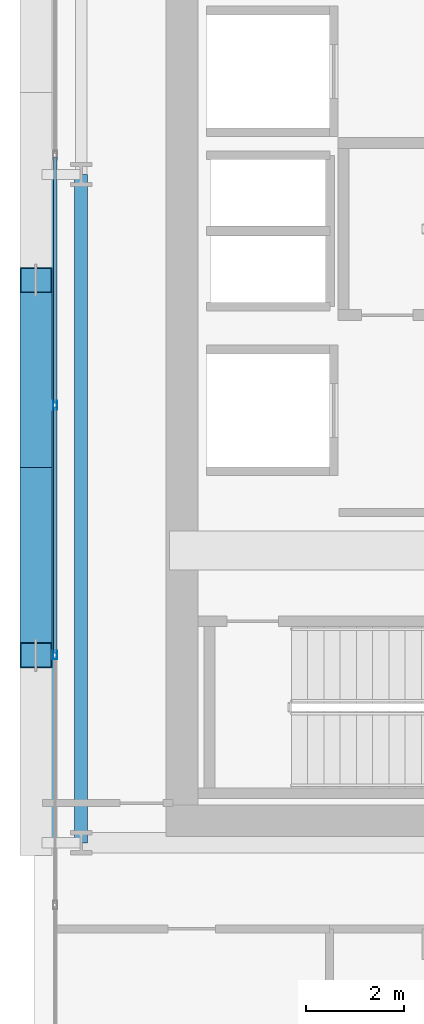
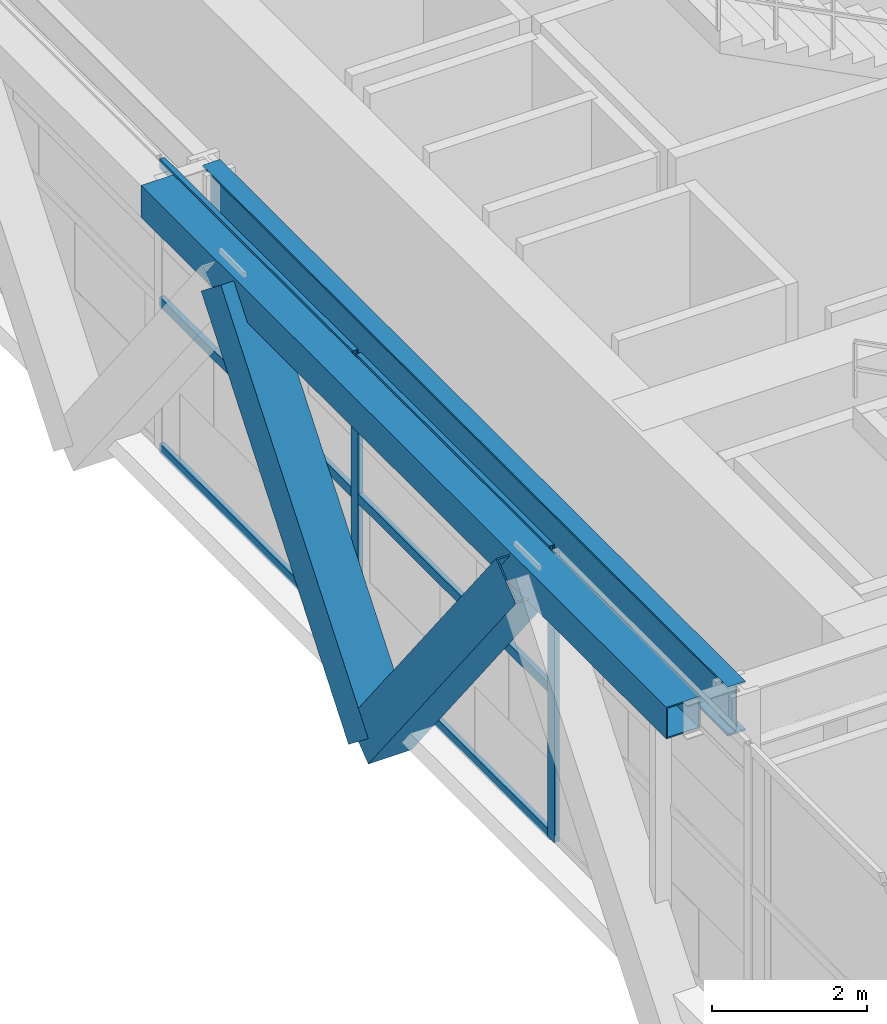
# One storey, part 6 of 35: 10 members, 2 beams, 1 element without a shape of its own.
"""IFC4 building model written with IfcOpenShell, lengths in metres."""

from ifc_helpers import new_model, si_unit, direction, frame, origin, origin_2d, place, context, subcontext, project, spatial, hollow_rectangle, i_section, extrude, source, transform, mapped, material, layer, layer_set, material_profile, profile_set, type_object, element, aggregate, save


model = new_model("IFC4")

# Units and contexts
model_context = context("Model", 3, precision=1e-05, world=origin(), true_north=direction((0.0, 1.0)))
body_context = subcontext(model_context, "Body", "Model", "MODEL_VIEW")
ifc_project = project(units=[si_unit("LENGTHUNIT", "METRE"), si_unit("AREAUNIT", "SQUARE_METRE"), si_unit("VOLUMEUNIT", "CUBIC_METRE"), si_unit("PLANEANGLEUNIT", "RADIAN"), si_unit("MASSUNIT", "GRAM", prefix="KILO")], contexts=[model_context])

# Site, building, storey
site_placement = place(None, origin())
site = spatial("IfcSite", under=ifc_project, at=site_placement, CompositionType="ELEMENT")
building_placement = place(site_placement, origin())
building = spatial("IfcBuilding", under=site, at=building_placement, Name="Ocotamira Hotel", CompositionType="ELEMENT")
storey_placement = place(building_placement, frame((0.0, 0.0, 158.39990234375)))
storey = spatial("IfcBuildingStorey", under=building, at=storey_placement, Name="L39", CompositionType="ELEMENT", Elevation=158.39990234375)

# Beams
ifc_material_1 = material(Name="Steel ASTM A992 Grade 50", Category="steel")
ifc_material_profile_1 = material_profile(ifc_material_1, i_section(OverallWidth=0.26611328125, OverallDepth=0.779052734375, WebThickness=0.0166015625, FlangeThickness=0.030029296875, FilletRadius=0.01806640625, at=origin_2d()), Name="W30X148")
ifc_profile_set_1 = profile_set([ifc_material_profile_1], Name="Steel ASTM A992 Grade 50")
beam_type_1 = type_object("IfcBeamType", Name="BM-GIRD-W30X148", PredefinedType="BEAM", material=ifc_profile_set_1)
shared_shape_1 = source(origin(), body_context, "Body", "SweptSolid", [
    extrude(i_section(OverallWidth=0.26611328125, OverallDepth=0.779052734375, WebThickness=0.0166015625, FlangeThickness=0.030029296875, FilletRadius=0.01806640625, at=origin_2d()), origin(), (0.0, 0.0, 1.0), 13.599853515625),
])
beam_1_placement = place(storey_placement, frame((8.949951171875, 14.550048828125, 4.1806640625), z_axis=(0.0, 1.0, 0.0), x_axis=(-1.0, 0.0, 0.0)))
element("IfcBeam", 1, at=beam_1_placement, inside=storey, type_object=beam_type_1, Name="L39 Beam X8.95 Y14.55-28.15", PredefinedType="BEAM", context=body_context, shape_type="MappedRepresentation", body=[
    mapped(shared_shape_1, transform((0.0, 0.0, 0.0), scale=1.0)),
])
ifc_material_2 = material(Name="Steel ASTM A500 Grade C", Category="steel")
ifc_material_profile_2 = material_profile(ifc_material_2, hollow_rectangle(XDim=0.5, YDim=0.5, WallThickness=0.02001953125, at=origin_2d()), Name="HSS500X500X20")
ifc_profile_set_2 = profile_set([ifc_material_profile_2], Name="Steel ASTM A500 Grade C")
beam_type_2 = type_object("IfcBeamType", Name="BM-SPAN-HSS500", PredefinedType="USERDEFINED", material=ifc_profile_set_2)
shared_shape_2 = source(origin(), body_context, "Body", "SweptSolid", [
    extrude(hollow_rectangle(XDim=0.5, YDim=0.5, WallThickness=0.02001953125, at=origin_2d()), origin(), (0.0, 0.0, 1.0), 13.599853515625),
])
beam_2_placement = place(storey_placement, frame((8.14990234375, 14.550048828125, 4.320068359375), z_axis=(0.0, 1.0, 0.0), x_axis=(-1.0, 0.0, 0.0)))
element("IfcBeam", 2, at=beam_2_placement, inside=storey, type_object=beam_type_2, Name="L39 Edge Spandrel W Y14.55-28.15", ObjectType="SPANDREL", PredefinedType="USERDEFINED", context=body_context, shape_type="MappedRepresentation", body=[
    mapped(shared_shape_2, transform((0.0, 0.0, 0.0), scale=1.0)),
])

# Members
ifc_material_3 = material(Name="Pale-metal coated steel ASTM A913 Grade 65", Category="steel")
ifc_material_profile_3 = material_profile(ifc_material_3, hollow_rectangle(XDim=0.64990234375, YDim=0.64990234375, WallThickness=0.02197265625, at=origin_2d()), Name="BOX650X650X22")
ifc_profile_set_3 = profile_set([ifc_material_profile_3], Name="Pale-metal coated steel ASTM A913 Grade 65")
member_type_1 = type_object("IfcMemberType", Name="MEM-EXO-BOX650", PredefinedType="BRACE", material=ifc_profile_set_3)
shared_shape_3 = source(origin(), body_context, "Body", "SweptSolid", [
    extrude(hollow_rectangle(XDim=0.64990234375, YDim=0.64990234375, WallThickness=0.02197265625, at=origin_2d()), origin(), (0.0, 0.0, 1.0), 6.171630859375),
])
for number, where, z_axis, x_axis, name in (
    (3, (8.030029296875, 22.183349609375, -0.52978515625), (0.0, -0.618427608591, 0.785841773471), (1.0, 0.0, 0.0), "L39 Exoskeleton Diagrid W0.2"),
    (4, (8.030029296875, 22.183349609375, -0.52978515625), (0.0, 0.618427608591, 0.785841773471), (-1.0, 0.0, 0.0), "L39 Exoskeleton Diagrid W1.1"),
):
    element("IfcMember", number, at=place(storey_placement, frame(where, z_axis=z_axis, x_axis=x_axis)), inside=storey, type_object=member_type_1, Name=name, PredefinedType="BRACE", context=body_context, shape_type="MappedRepresentation", body=[
        mapped(shared_shape_3, transform((0.0, 0.0, 0.0), scale=1.0)),
    ])

# Curtain wall, members
ifc_material_4 = material(Name="Anodised pale-metal aluminium and solar glass", Category="aluminium")
ifc_layer = layer(ifc_material_4, 0.239990234375)
ifc_layer_set = layer_set([ifc_layer], Name="Anodised pale-metal aluminium and solar glass")
curtain_wall_type = type_object("IfcCurtainWallType", Name="CW-SYS5-SKY", PredefinedType="NOTDEFINED", material=ifc_layer_set)
curtain_wall_placement = place(storey_placement, origin())
curtain_wall = element("IfcCurtainWall", 5, at=curtain_wall_placement, inside=storey, type_object=curtain_wall_type, Name="L39 Curtain Wall CW-5 CW-L39-W", PredefinedType="NOTDEFINED")
ifc_material_5 = material(Name="Anodised pale-metal aluminium 6063-T6", Category="aluminium")
ifc_material_profile_4 = material_profile(ifc_material_5, hollow_rectangle(XDim=0.074951171875, YDim=0.14990234375, WallThickness=0.006103515625, at=origin_2d()), Name="HSS150X75X6")
ifc_profile_set_4 = profile_set([ifc_material_profile_4], Name="Anodised pale-metal aluminium 6063-T6")
member_type_2 = type_object("IfcMemberType", Name="CWT-150X75", PredefinedType="USERDEFINED", material=ifc_profile_set_4)
shared_shape_4 = source(origin(), body_context, "Body", "SweptSolid", [
    extrude(hollow_rectangle(XDim=0.074951171875, YDim=0.14990234375, WallThickness=0.006103515625, at=origin_2d()), origin(), (0.0, 0.0, 1.0), 5.005859375),
])
member_1_placement = place(storey_placement, frame((8.419921875, 18.411376953125, 0.03759765625), z_axis=(0.0, 1.0, 0.0), x_axis=(-1.0, 0.0, 0.0)))
member_1 = element("IfcMember", 6, at=member_1_placement, type_object=member_type_2, Name="CW-5 transom 3.1", ObjectType="TRANSOM", PredefinedType="USERDEFINED", context=body_context, shape_type="MappedRepresentation", body=[
    mapped(shared_shape_4, transform((0.0, 0.0, 0.0), scale=1.0)),
])
member_2_placement = place(storey_placement, frame((8.419921875, 18.411376953125, 2.35009765625), z_axis=(0.0, 1.0, 0.0), x_axis=(-1.0, 0.0, 0.0)))
member_2 = element("IfcMember", 7, at=member_2_placement, type_object=member_type_2, Name="CW-5 transom 3.2", ObjectType="TRANSOM", PredefinedType="USERDEFINED", context=body_context, shape_type="MappedRepresentation", body=[
    mapped(shared_shape_4, transform((0.0, 0.0, 0.0), scale=1.0)),
])
member_3_placement = place(storey_placement, frame((8.419921875, 18.411376953125, 4.53271484375), z_axis=(0.0, 1.0, 0.0), x_axis=(-1.0, 0.0, 0.0)))
member_3 = element("IfcMember", 8, at=member_3_placement, type_object=member_type_2, Name="CW-5 transom 3.3", ObjectType="TRANSOM", PredefinedType="USERDEFINED", context=body_context, shape_type="MappedRepresentation", body=[
    mapped(shared_shape_4, transform((0.0, 0.0, 0.0), scale=1.0)),
])
member_4_placement = place(storey_placement, frame((8.419921875, 23.4970703125, 0.03759765625), z_axis=(0.0, 1.0, 0.0), x_axis=(-1.0, 0.0, 0.0)))
member_4 = element("IfcMember", 9, at=member_4_placement, type_object=member_type_2, Name="CW-5 transom 4.1", ObjectType="TRANSOM", PredefinedType="USERDEFINED", context=body_context, shape_type="MappedRepresentation", body=[
    mapped(shared_shape_4, transform((0.0, 0.0, 0.0), scale=1.0)),
])
member_5_placement = place(storey_placement, frame((8.419921875, 23.4970703125, 2.35009765625), z_axis=(0.0, 1.0, 0.0), x_axis=(-1.0, 0.0, 0.0)))
member_5 = element("IfcMember", 10, at=member_5_placement, type_object=member_type_2, Name="CW-5 transom 4.2", ObjectType="TRANSOM", PredefinedType="USERDEFINED", context=body_context, shape_type="MappedRepresentation", body=[
    mapped(shared_shape_4, transform((0.0, 0.0, 0.0), scale=1.0)),
])
member_6_placement = place(storey_placement, frame((8.419921875, 23.4970703125, 4.53271484375), z_axis=(0.0, 1.0, 0.0), x_axis=(-1.0, 0.0, 0.0)))
member_6 = element("IfcMember", 11, at=member_6_placement, type_object=member_type_2, Name="CW-5 transom 4.3", ObjectType="TRANSOM", PredefinedType="USERDEFINED", context=body_context, shape_type="MappedRepresentation", body=[
    mapped(shared_shape_4, transform((0.0, 0.0, 0.0), scale=1.0)),
])
ifc_material_profile_5 = material_profile(ifc_material_5, hollow_rectangle(XDim=0.080078125, YDim=0.179931640625, WallThickness=0.006103515625, at=origin_2d()), Name="HSS180X80X6")
ifc_profile_set_5 = profile_set([ifc_material_profile_5], Name="Anodised pale-metal aluminium 6063-T6")
member_type_3 = type_object("IfcMemberType", Name="CWM-180X75", PredefinedType="MULLION", material=ifc_profile_set_5)
shared_shape_5 = source(origin(), body_context, "Body", "SweptSolid", [
    extrude(hollow_rectangle(XDim=0.080078125, YDim=0.179931640625, WallThickness=0.006103515625, at=origin_2d()), origin(), (0.0, 0.0, 1.0), 4.570068359375),
])
member_7_placement = place(storey_placement, frame((8.419921875, 18.371337890625, 0.0), z_axis=(0.0, 0.0, 1.0), x_axis=(-1.0, 0.0, 0.0)))
member_7 = element("IfcMember", 12, at=member_7_placement, type_object=member_type_3, Name="CW-5 mullion 3", PredefinedType="MULLION", context=body_context, shape_type="MappedRepresentation", body=[
    mapped(shared_shape_5, transform((0.0, 0.0, 0.0), scale=1.0)),
])
member_8_placement = place(storey_placement, frame((8.419921875, 23.45703125, 0.0), z_axis=(0.0, 0.0, 1.0), x_axis=(-1.0, 0.0, 0.0)))
member_8 = element("IfcMember", 13, at=member_8_placement, type_object=member_type_3, Name="CW-5 mullion 4", PredefinedType="MULLION", context=body_context, shape_type="MappedRepresentation", body=[
    mapped(shared_shape_5, transform((0.0, 0.0, 0.0), scale=1.0)),
])
aggregate(curtain_wall, [member_7, member_8, member_1, member_2, member_3, member_4, member_5, member_6])

save(model, "model.ifc")
